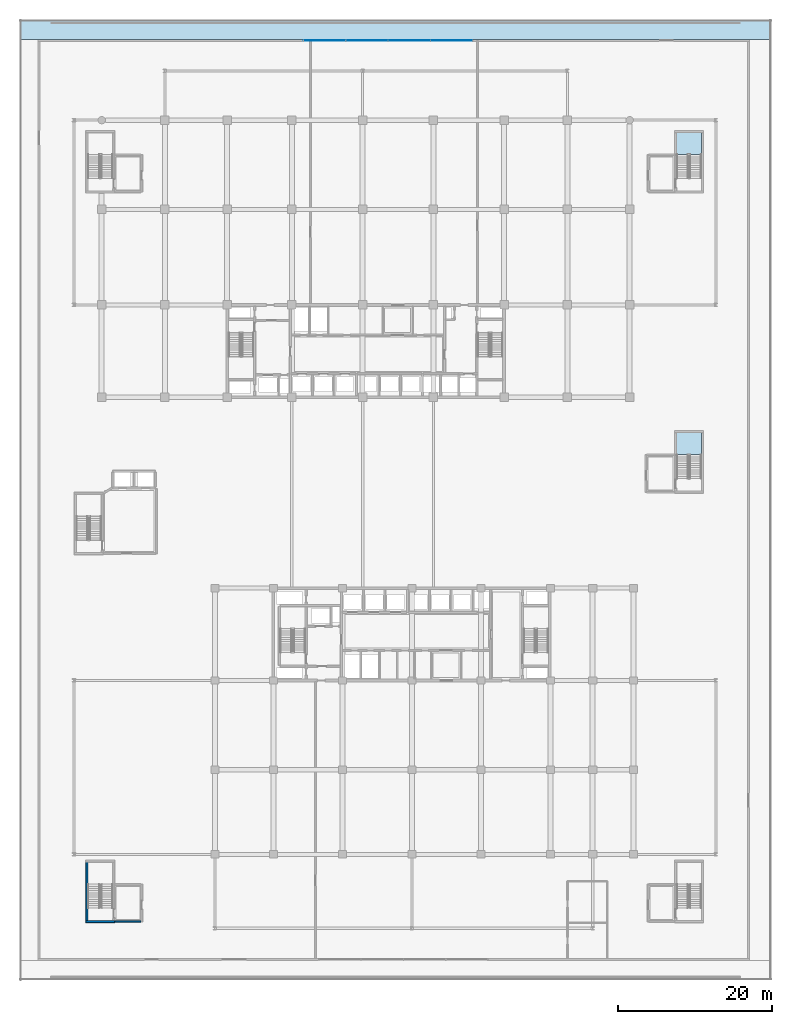
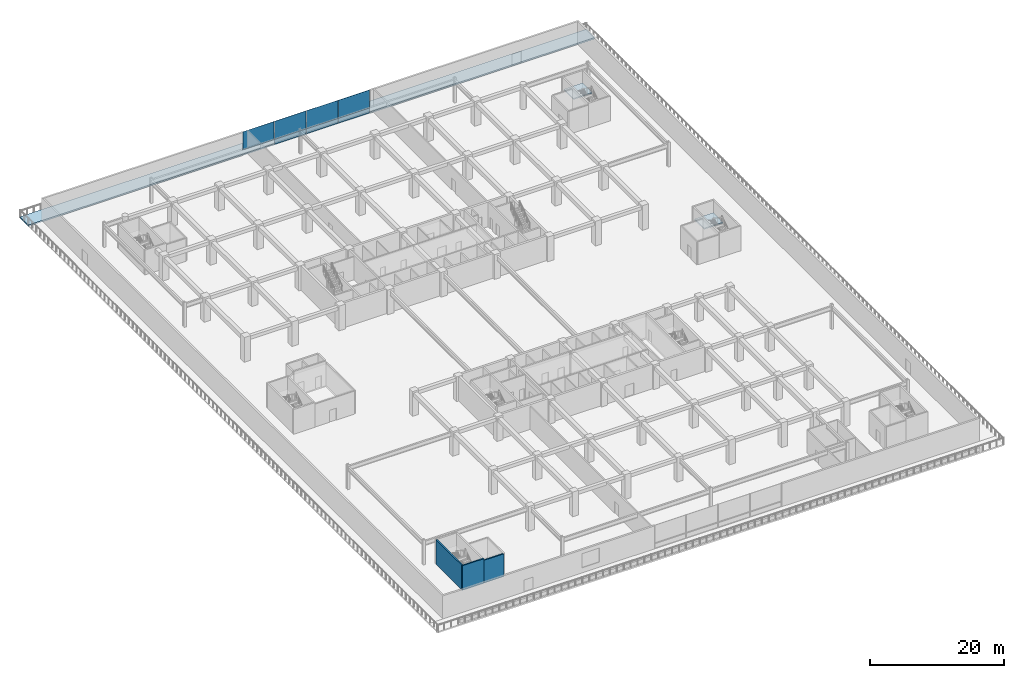
# One storey, part 17 of 40: 7 plates, 3 slabs, 3 walls, 3 elements without a shape of their own.
"""IFC4 building model written with IfcOpenShell, lengths in metres."""

from ifc_helpers import new_model, si_unit, direction, frame, frame_2d, origin, origin_2d, place, context, subcontext, project, spatial, polyline, rectangle, outline, extrude, material, layer, layer_set, type_object, element, aggregate, save


model = new_model("IFC4")

# Units and contexts
model_context = context("Model", 3, precision=1e-05, world=origin(), true_north=direction((0.0, 1.0)))
body_context = subcontext(model_context, "Body", "Model", "MODEL_VIEW")
ifc_project = project(units=[si_unit("LENGTHUNIT", "METRE"), si_unit("AREAUNIT", "SQUARE_METRE"), si_unit("VOLUMEUNIT", "CUBIC_METRE"), si_unit("PLANEANGLEUNIT", "RADIAN"), si_unit("MASSUNIT", "GRAM", prefix="KILO")], contexts=[model_context])

# Site, building, storey
site_placement = place(None, origin())
site = spatial("IfcSite", under=ifc_project, at=site_placement, CompositionType="ELEMENT")
building_placement = place(site_placement, origin())
building = spatial("IfcBuilding", under=site, at=building_placement, Name="Korimba Cascade Residences", CompositionType="ELEMENT")
storey_placement = place(building_placement, frame((0.0, 0.0, 14.5)))
storey = spatial("IfcBuildingStorey", under=building, at=storey_placement, Name="L03", CompositionType="ELEMENT", Elevation=14.5)

# Curtain wall, plates
ifc_material_1 = material(Name="Anodised Aluminium Curtain Wall Framing", Category="aluminium")
ifc_layer_1 = layer(ifc_material_1, 0.179931640625)
ifc_layer_set_1 = layer_set([ifc_layer_1], Name="Anodised Aluminium Curtain Wall Framing")
curtain_wall_type = type_object("IfcCurtainWallType", Name="CW-POD-SYS1", PredefinedType="NOTDEFINED", material=ifc_layer_set_1)
curtain_wall_placement = place(storey_placement, origin())
curtain_wall = element("IfcCurtainWall", 1, at=curtain_wall_placement, inside=storey, type_object=curtain_wall_type, Name="L03 Curtain Wall CW-L03-POD-N", PredefinedType="NOTDEFINED")
ifc_material_2 = material(Name="Insulated Stone-Tone Spandrel Panel", Category="masonry")
ifc_layer_2 = layer(ifc_material_2, 0.0400390625)
ifc_layer_set_2 = layer_set([ifc_layer_2], Name="Insulated Stone-Tone Spandrel Panel")
plate_type_1 = type_object("IfcPlateType", Name="CWP-SPN-40", PredefinedType="USERDEFINED", material=ifc_layer_set_2)
plate_1_placement = place(storey_placement, frame((105.22998046875, 101.550048828125, 0.0), z_axis=(0.0, 0.0, 1.0), x_axis=(-1.0, 0.0, 0.0)))
plate_1 = element("IfcPlate", 2, at=plate_1_placement, type_object=plate_type_1, Name="CW-L03-POD-N Spandrel Panel 1", ObjectType="SPANDREL", PredefinedType="USERDEFINED", context=body_context, shape_type="SweptSolid", body=[
    extrude(rectangle(XDim=5.409912109375, YDim=0.0400390625, at=origin_2d()), origin(), (0.0, 0.0, 1.0), 0.89990234375),
])
plate_2_placement = place(storey_placement, frame((99.75, 101.550048828125, 0.0), z_axis=(0.0, 0.0, 1.0), x_axis=(-1.0, 0.0, 0.0)))
plate_2 = element("IfcPlate", 3, at=plate_2_placement, type_object=plate_type_1, Name="CW-L03-POD-N Spandrel Panel 2", ObjectType="SPANDREL", PredefinedType="USERDEFINED", context=body_context, shape_type="SweptSolid", body=[
    extrude(rectangle(XDim=5.449951171875, YDim=0.0400390625, at=origin_2d()), origin(), (0.0, 0.0, 1.0), 0.89990234375),
])
plate_3_placement = place(storey_placement, frame((94.25, 101.550048828125, 0.0), z_axis=(0.0, 0.0, 1.0), x_axis=(-1.0, 0.0, 0.0)))
plate_3 = element("IfcPlate", 4, at=plate_3_placement, type_object=plate_type_1, Name="CW-L03-POD-N Spandrel Panel 3", ObjectType="SPANDREL", PredefinedType="USERDEFINED", context=body_context, shape_type="SweptSolid", body=[
    extrude(rectangle(XDim=5.449951171875, YDim=0.0400390625, at=origin_2d()), origin(), (0.0, 0.0, 1.0), 0.89990234375),
])
ifc_material_3 = material(Name="Low-E Double Glazing Unit", Category="glass")
ifc_layer_3 = layer(ifc_material_3, 0.028076171875)
ifc_layer_set_3 = layer_set([ifc_layer_3], Name="Low-E Double Glazing Unit")
plate_type_2 = type_object("IfcPlateType", Name="CWP-VIS-28", PredefinedType="CURTAIN_PANEL", material=ifc_layer_set_3)
plate_4_placement = place(storey_placement, frame((105.22998046875, 101.550048828125, 0.89990234375), z_axis=(0.0, 0.0, 1.0), x_axis=(-1.0, 0.0, 0.0)))
plate_4 = element("IfcPlate", 5, at=plate_4_placement, type_object=plate_type_2, Name="CW-L03-POD-N Vision Glass Panel 1", PredefinedType="CURTAIN_PANEL", context=body_context, shape_type="SweptSolid", body=[
    extrude(rectangle(XDim=5.409912109375, YDim=0.028076171875, at=origin_2d()), origin(), (0.0, 0.0, 1.0), 3.280029296875),
])
plate_5_placement = place(storey_placement, frame((99.75, 101.550048828125, 0.89990234375), z_axis=(0.0, 0.0, 1.0), x_axis=(-1.0, 0.0, 0.0)))
plate_5 = element("IfcPlate", 6, at=plate_5_placement, type_object=plate_type_2, Name="CW-L03-POD-N Vision Glass Panel 2", PredefinedType="CURTAIN_PANEL", context=body_context, shape_type="SweptSolid", body=[
    extrude(rectangle(XDim=5.449951171875, YDim=0.028076171875, at=origin_2d()), origin(), (0.0, 0.0, 1.0), 3.280029296875),
])
plate_6_placement = place(storey_placement, frame((94.25, 101.550048828125, 0.89990234375), z_axis=(0.0, 0.0, 1.0), x_axis=(-1.0, 0.0, 0.0)))
plate_6 = element("IfcPlate", 7, at=plate_6_placement, type_object=plate_type_2, Name="CW-L03-POD-N Vision Glass Panel 3", PredefinedType="CURTAIN_PANEL", context=body_context, shape_type="SweptSolid", body=[
    extrude(rectangle(XDim=5.449951171875, YDim=0.028076171875, at=origin_2d()), origin(), (0.0, 0.0, 1.0), 3.280029296875),
])
plate_7_placement = place(storey_placement, frame((88.77001953125, 101.550048828125, 0.89990234375), z_axis=(0.0, 0.0, 1.0), x_axis=(-1.0, 0.0, 0.0)))
plate_7 = element("IfcPlate", 8, at=plate_7_placement, type_object=plate_type_2, Name="CW-L03-POD-N Vision Glass Panel 4", PredefinedType="CURTAIN_PANEL", context=body_context, shape_type="SweptSolid", body=[
    extrude(rectangle(XDim=5.409912109375, YDim=0.028076171875, at=origin_2d()), origin(), (0.0, 0.0, 1.0), 3.280029296875),
])
aggregate(curtain_wall, [plate_1, plate_4, plate_2, plate_5, plate_3, plate_6, plate_7])

# Stair, slab
ifc_material_4 = material(Name="Concrete C50/60", Category="concrete")
stair_type_1 = type_object("IfcStairType", Name="STR-P2-24R-1875", PredefinedType="HALF_TURN_STAIR", material=ifc_material_4)
stair_1_placement = place(storey_placement, origin())
stair_1 = element("IfcStair", 9, at=stair_1_placement, inside=storey, type_object=stair_type_1, Name="L03 Podium East Fire Stair ST-P2", PredefinedType="HALF_TURN_STAIR")
ifc_layer_4 = layer(ifc_material_4, 0.199951171875)
ifc_layer_set_4 = layer_set([ifc_layer_4], Name="Concrete C50/60")
slab_type_1 = type_object("IfcSlabType", Name="SLB-LND-220", PredefinedType="LANDING", material=ifc_layer_set_4)
slab_1_placement = place(storey_placement, frame((0.0, 0.0, 2.050048828125)))
slab_1 = element("IfcSlab", 10, at=slab_1_placement, type_object=slab_type_1, Name="ST-P2 landing 1", PredefinedType="LANDING", context=body_context, shape_type="SweptSolid", body=[
    extrude(outline(polyline([(137.739990234375, 47.72998046875), (137.739990234375, 50.60009765625), (134.5, 50.60009765625), (134.5, 47.72998046875), (137.739990234375, 47.72998046875)])), origin(), (0.0, 0.0, 1.0), 0.199951171875),
])
aggregate(stair_1, [slab_1])

stair_type_2 = type_object("IfcStairType", Name="STR-P4-24R-1875", PredefinedType="HALF_TURN_STAIR", material=ifc_material_4)
stair_2_placement = place(storey_placement, origin())
stair_2 = element("IfcStair", 11, at=stair_2_placement, inside=storey, type_object=stair_type_2, Name="L03 Podium North-East Corner Fire Stair ST-P4", PredefinedType="HALF_TURN_STAIR")
slab_2_placement = place(storey_placement, frame((0.0, 0.0, 2.050048828125)))
slab_2 = element("IfcSlab", 12, at=slab_2_placement, type_object=slab_type_1, Name="ST-P4 landing 1", PredefinedType="LANDING", context=body_context, shape_type="SweptSolid", body=[
    extrude(outline(polyline([(137.739990234375, 86.72998046875), (137.739990234375, 89.60009765625), (134.5, 89.60009765625), (134.5, 86.72998046875), (137.739990234375, 86.72998046875)])), origin(), (0.0, 0.0, 1.0), 0.199951171875),
])
aggregate(stair_2, [slab_2])

# Slab
ifc_layer_5 = layer(ifc_material_4, 0.260009765625)
ifc_layer_set_5 = layer_set([ifc_layer_5], Name="Concrete C50/60")
slab_type_2 = type_object("IfcSlabType", Name="SLB-TER-260", PredefinedType="FLOOR", material=ifc_layer_set_5)
slab_3_placement = place(storey_placement, frame((0.0, 0.0, -0.260009765625)))
element("IfcSlab", 13, at=slab_3_placement, inside=storey, type_object=slab_type_2, Name="L03 Cascading Garden Terrace Slab N", PredefinedType="FLOOR", context=body_context, shape_type="SweptSolid", body=[
    extrude(outline(polyline([(49.199951171875, 101.699951171875), (146.800048828125, 101.699951171875), (146.800048828125, 104.199951171875), (49.199951171875, 104.199951171875), (49.199951171875, 101.699951171875)])), origin(), (0.0, 0.0, 1.0), 0.260009765625),
])

# Walls
ifc_material_5 = material(Name="Concrete C40/50", Category="concrete")
ifc_layer_6 = layer(ifc_material_5, 0.199951171875)
ifc_layer_set_6 = layer_set([ifc_layer_6], Name="Concrete C40/50")
wall_type_1 = type_object("IfcWallType", Name="WAL-PART-200", PredefinedType="PARTITIONING", material=ifc_layer_set_6)
wall_1_placement = place(storey_placement, frame((61.5, -12.925048828125, 0.0), z_axis=(0.0, 0.0, 1.0), x_axis=(1.0, 0.0, 0.0)))
element("IfcWall", 14, at=wall_1_placement, inside=storey, type_object=wall_type_1, Name="L03 Partition Wall CW-L03-PL3S", PredefinedType="PARTITIONING", context=body_context, shape_type="SweptSolid", body=[
    extrude(rectangle(XDim=3.39990234375, YDim=0.199951171875, at=frame_2d((1.699951171875, 0.0))), origin(), (0.0, 0.0, 1.0), 4.179931640625),
])
ifc_layer_7 = layer(ifc_material_4, 0.25)
ifc_layer_set_7 = layer_set([ifc_layer_7], Name="Concrete C50/60")
wall_type_2 = type_object("IfcWallType", Name="WAL-SHAFT-250", PredefinedType="SHEAR", material=ifc_layer_set_7)
wall_2_placement = place(storey_placement, frame((57.875, -12.800048828125, 0.0), z_axis=(0.0, 0.0, 1.0), x_axis=(0.0, 1.0, 0.0)))
element("IfcWall", 15, at=wall_2_placement, inside=storey, type_object=wall_type_2, Name="L03 Core Shear Wall CW-L03-STP3W", PredefinedType="SHEAR", context=body_context, shape_type="SweptSolid", body=[
    extrude(rectangle(XDim=7.60009765625, YDim=0.25, at=frame_2d((3.800048828125, 0.0))), origin(), (0.0, 0.0, 1.0), 4.5),
])
wall_3_placement = place(storey_placement, frame((57.75, -12.925048828125, 0.0), z_axis=(0.0, 0.0, 1.0), x_axis=(1.0, 0.0, 0.0)))
element("IfcWall", 16, at=wall_3_placement, inside=storey, type_object=wall_type_2, Name="L03 Core Shear Wall CW-L03-STP3S", PredefinedType="SHEAR", context=body_context, shape_type="SweptSolid", body=[
    extrude(rectangle(XDim=3.739990234375, YDim=0.25, at=frame_2d((1.8701171875, 0.0))), origin(), (0.0, 0.0, 1.0), 4.5),
])

save(model, "model.ifc")
